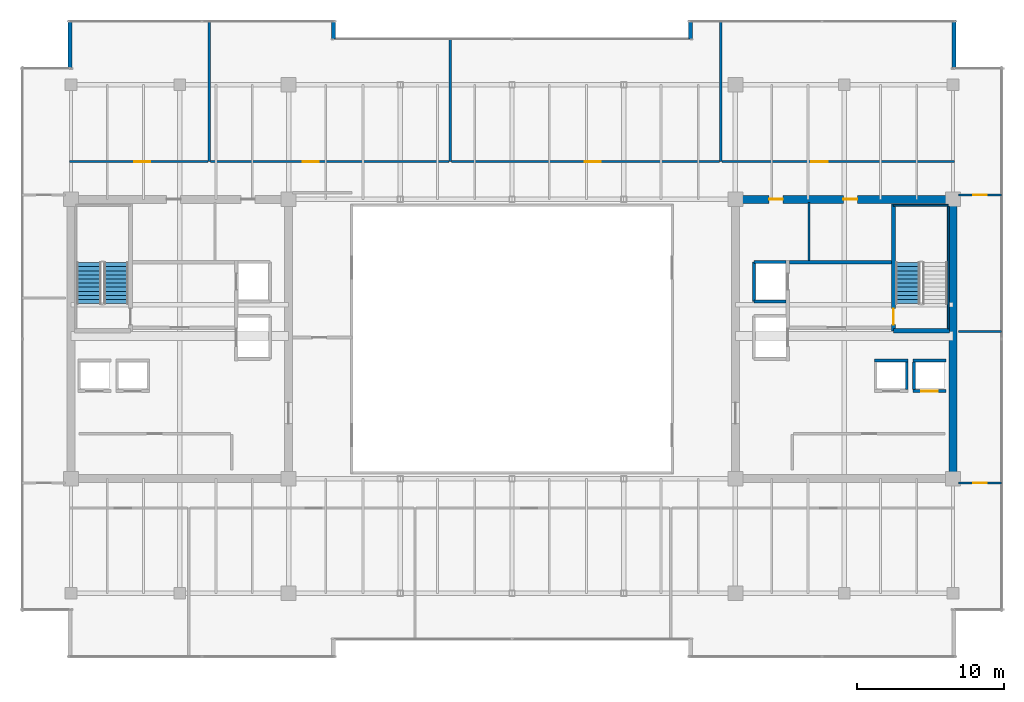
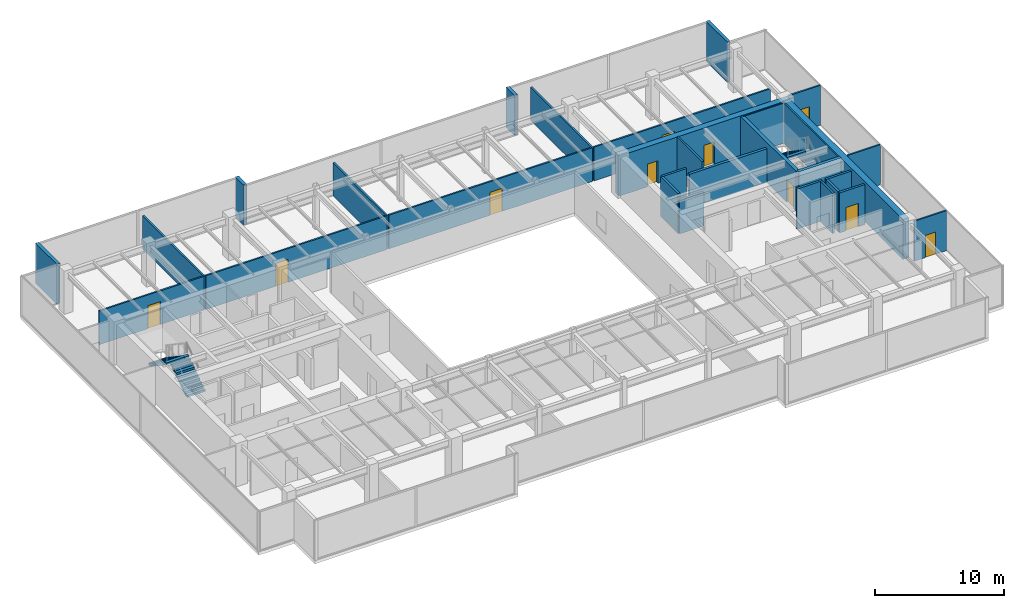
# One storey, part 30 of 33: 30 walls, 10 doors, 3 stair flights, 10 openings, 2 elements without a shape of their own.
"""IFC4 building model written with IfcOpenShell, lengths in metres."""

import ifcopenshell
import ifcopenshell.guid

model = None  # the IFC model being written
_history = None  # IfcOwnerHistory: only IFC2X3 demands one
_inside = {}  # id of a spatial element -> (the spatial element, [elements in it])
_under = {}  # id of a project, library or spatial element -> (it, [spatial elements below it])
_declared = {}  # id of a project -> (the project, [libraries it declares])
_typed = {}  # id of a type object -> (the type object, [elements of that type])
_made_of = {}  # id of a material, layer set ... -> (it, [elements and type objects made of it])


def new_model(schema):
    """Start an empty IFC model of exactly this schema.

    Asked for "IFC4X3", IfcOpenShell would pick the latest addendum, in which some entities
    have other attributes; the version numbers below select the first issue.
    IFC2X3 requires an IfcOwnerHistory on every rooted entity: one is made here for all.
    """
    global model, _history
    if schema == "IFC4X3":
        model = ifcopenshell.file(schema_version=(4, 3, 0, 0))
    else:
        model = ifcopenshell.file(schema=schema)
    _inside.clear()
    _under.clear()
    _declared.clear()
    _typed.clear()
    _made_of.clear()
    _history = None
    if model.schema == "IFC2X3":
        org = make("IfcOrganization", Name="unknown")
        user = make(
            "IfcPersonAndOrganization",
            ThePerson=make("IfcPerson", FamilyName="unknown"),
            TheOrganization=org,
        )
        app = make(
            "IfcApplication",
            ApplicationDeveloper=org,
            Version="unknown",
            ApplicationFullName="unknown",
            ApplicationIdentifier="unknown",
        )
        _history = make(
            "IfcOwnerHistory",
            OwningUser=user,
            OwningApplication=app,
            ChangeAction="ADDED",
            CreationDate=0,
        )
    return model


def make(cls, **values):
    """One entity of the class cls with the attributes given. An attribute that is None is left unset."""
    return model.create_entity(
        cls, **{name: value for name, value in values.items() if value is not None}
    )


def rooted(cls, **values):
    """An entity with a GlobalId (a new one), such as an element, a storey or a relation."""
    return make(cls, GlobalId=ifcopenshell.guid.new(), OwnerHistory=_history, **values)


def si_unit(unit_type, name, prefix=None):
    """IfcSIUnit, for example si_unit("LENGTHUNIT", "METRE", prefix="MILLI")."""
    return make("IfcSIUnit", UnitType=unit_type, Prefix=prefix, Name=name)


def assignment(units):
    """IfcUnitAssignment: the units of a project."""
    return None if units is None else make("IfcUnitAssignment", Units=units)


def point(xyz):
    """IfcCartesianPoint."""
    return None if xyz is None else make("IfcCartesianPoint", Coordinates=xyz)


def direction(xyz):
    """IfcDirection."""
    return None if xyz is None else make("IfcDirection", DirectionRatios=xyz)


def frame(location, z_axis=None, x_axis=None):
    """IfcAxis2Placement3D, a coordinate frame: its origin and axes. An axis left out is left unset."""
    return make(
        "IfcAxis2Placement3D",
        Location=point(location),
        Axis=direction(z_axis),
        RefDirection=direction(x_axis),
    )


def frame_2d(location, x_axis=None):
    """IfcAxis2Placement2D, a coordinate frame in the plane: its origin and x axis."""
    return make(
        "IfcAxis2Placement2D", Location=point(location), RefDirection=direction(x_axis)
    )


def origin():
    """The frame at (0, 0, 0) with its axes left unset."""
    return frame((0.0, 0.0, 0.0))


def place(relative_to, where):
    """IfcLocalPlacement: puts the frame where relative to a parent placement (None: the world)."""
    return make(
        "IfcLocalPlacement", PlacementRelTo=relative_to, RelativePlacement=where
    )


def context(
    kind, dimensions, precision=None, world=None, true_north=None, identifier=None
):
    """IfcGeometricRepresentationContext, for example the 3D "Model" context."""
    return make(
        "IfcGeometricRepresentationContext",
        ContextIdentifier=identifier,
        ContextType=kind,
        CoordinateSpaceDimension=dimensions,
        Precision=precision,
        WorldCoordinateSystem=world,
        TrueNorth=true_north,
    )


def subcontext(parent, identifier, kind, view, scale=None):
    """IfcGeometricRepresentationSubContext, for example "Body" below "Model"."""
    return make(
        "IfcGeometricRepresentationSubContext",
        ContextIdentifier=identifier,
        ContextType=kind,
        ParentContext=parent,
        TargetScale=scale,
        TargetView=view,
    )


def project(units=None, contexts=None):
    """IfcProject with its units and contexts."""
    return rooted(
        "IfcProject",
        Name="project",
        RepresentationContexts=contexts,
        UnitsInContext=assignment(units),
    )


def spatial(cls, under=None, at=None, **own):
    """A site, building, storey or space (cls), placed at a placement, below another one or the project."""
    s = rooted(cls, ObjectPlacement=at, **own)
    if under is not None:
        _under.setdefault(under.id(), (under, []))[1].append(s)
    return s


def polyline(points):
    """IfcPolyline through the points."""
    return make("IfcPolyline", Points=[point(p) for p in points])


def profile(cls, at=None, kind="AREA", **sizes):
    """A parametric profile (cls). Its sizes go by their IFC names, for example OverallWidth=200.0."""
    return make(cls, ProfileType=kind, Position=at, **sizes)


def rectangle(**sizes):
    """IfcRectangleProfileDef."""
    return profile("IfcRectangleProfileDef", **sizes)


def outline(outer, holes=None, kind="AREA"):
    """IfcArbitraryClosedProfileDef: a profile drawn as a closed curve; with holes, ...WithVoids."""
    if holes is None:
        return make("IfcArbitraryClosedProfileDef", ProfileType=kind, OuterCurve=outer)
    return make(
        "IfcArbitraryProfileDefWithVoids",
        ProfileType=kind,
        OuterCurve=outer,
        InnerCurves=holes,
    )


def extrude(swept, where, along, depth):
    """IfcExtrudedAreaSolid: the profile swept, set in the frame where, extruded along a direction by depth."""
    return make(
        "IfcExtrudedAreaSolid",
        SweptArea=swept,
        Position=where,
        ExtrudedDirection=direction(along),
        Depth=depth,
    )


def shape(context_of_items, identifier, shape_type, items):
    """IfcShapeRepresentation: the items that make up one representation, for example the "Body"."""
    return make(
        "IfcShapeRepresentation",
        ContextOfItems=context_of_items,
        RepresentationIdentifier=identifier,
        RepresentationType=shape_type,
        Items=items,
    )


def source(mapping_origin, context_of_items, identifier, shape_type, items):
    """IfcRepresentationMap: a shape defined once, which mapped items show again and again."""
    return make(
        "IfcRepresentationMap",
        MappingOrigin=mapping_origin,
        MappedRepresentation=shape(context_of_items, identifier, shape_type, items),
    )


def transform(
    local_origin,
    x_axis=None,
    y_axis=None,
    z_axis=None,
    scale=None,
    scale2=None,
    scale3=None,
    uniform=True,
):
    """IfcCartesianTransformationOperator3D, or its non-uniform kind. x_axis, y_axis, z_axis: its Axis1, 2, 3."""
    if uniform:
        return make(
            "IfcCartesianTransformationOperator3D",
            Axis1=direction(x_axis),
            Axis2=direction(y_axis),
            LocalOrigin=point(local_origin),
            Scale=scale,
            Axis3=direction(z_axis),
        )
    return make(
        "IfcCartesianTransformationOperator3DnonUniform",
        Axis1=direction(x_axis),
        Axis2=direction(y_axis),
        LocalOrigin=point(local_origin),
        Scale=scale,
        Axis3=direction(z_axis),
        Scale2=scale2,
        Scale3=scale3,
    )


def mapped(mapping_source, mapping_target):
    """IfcMappedItem: shows the shape of a source again, moved by a transform."""
    return make(
        "IfcMappedItem", MappingSource=mapping_source, MappingTarget=mapping_target
    )


def material(Name=None, Category=None):
    """IfcMaterial."""
    return make("IfcMaterial", Name=Name, Category=Category)


def layer(
    of_material, thickness, ventilated=None, Name=None, Category=None, Priority=None
):
    """IfcMaterialLayer: one layer of a wall or slab, of a material (None: an air gap)."""
    return make(
        "IfcMaterialLayer",
        Material=of_material,
        LayerThickness=thickness,
        IsVentilated=ventilated,
        Name=Name,
        Category=Category,
        Priority=Priority,
    )


def layer_set(layers, Name=None):
    """IfcMaterialLayerSet."""
    return make("IfcMaterialLayerSet", MaterialLayers=layers, LayerSetName=Name)


def made_of(thing, what):
    """Note that an element or type object is made of a material, layer set ...; save() writes the relation."""
    if what is not None:
        _made_of.setdefault(what.id(), (what, []))[1].append(thing)
    return thing


def type_object(cls, material=None, **own):
    """A type object (cls), such as IfcWallType, which elements share."""
    return made_of(rooted(cls, **own), material)


def type_shapes(of_type, sources):
    """Give a type object the sources (RepresentationMaps) that its elements show as mapped items."""
    of_type.RepresentationMaps = sources


def element(
    cls,
    number,
    at=None,
    inside=None,
    cuts=None,
    type_object=None,
    material=None,
    context=None,
    identifier="Body",
    shape_type=None,
    held_by="IfcProductDefinitionShape",
    body=None,
    shapes=None,
    **own,
):
    """One element of the class cls, such as IfcWall. Its Tag is "e" and its number.

    at: its placement. inside: the storey or other place that contains it. cuts: it is an
    opening in that element (IfcRelVoidsElement). A single representation is given by context,
    identifier, shape_type and body (its items); several are given by shapes. held_by: the class
    of the entity that holds the representations. save() writes the other relations.
    """
    e = rooted(cls, Tag="e%d" % number, ObjectPlacement=at, **own)
    if body is not None:
        shapes = [shape(context, identifier, shape_type, body)]
    if shapes is not None:
        e.Representation = make(held_by, Representations=shapes)
    if inside is not None:
        _inside.setdefault(inside.id(), (inside, []))[1].append(e)
    if cuts is not None:
        rooted(
            "IfcRelVoidsElement", RelatingBuildingElement=cuts, RelatedOpeningElement=e
        )
    if type_object is not None:
        _typed.setdefault(type_object.id(), (type_object, []))[1].append(e)
    return made_of(e, material)


def fill(opening, filler):
    """IfcRelFillsElement: the door or window that sits in an opening."""
    return rooted(
        "IfcRelFillsElement",
        RelatingOpeningElement=opening,
        RelatedBuildingElement=filler,
    )


def aggregate(whole, parts):
    """IfcRelAggregates: a whole, such as a stair, and the parts it consists of."""
    return rooted("IfcRelAggregates", RelatingObject=whole, RelatedObjects=parts)


def save(model, path):
    """Write the relations noted so far, then the file.

    IfcRelAggregates (storeys below a building ...), IfcRelContainedInSpatialStructure (elements
    in a storey), IfcRelDefinesByType, IfcRelAssociatesMaterial and IfcRelDeclares: one each for
    every whole, place, type object, material and project.
    """
    for whole, parts in _under.values():
        aggregate(whole, parts)
    for where, things in _inside.values():
        rooted(
            "IfcRelContainedInSpatialStructure",
            RelatedElements=things,
            RelatingStructure=where,
        )
    for kind, things in _typed.values():
        rooted("IfcRelDefinesByType", RelatedObjects=things, RelatingType=kind)
    for what, things in _made_of.values():
        rooted("IfcRelAssociatesMaterial", RelatedObjects=things, RelatingMaterial=what)
    for by, libraries in _declared.values():
        rooted("IfcRelDeclares", RelatingContext=by, RelatedDefinitions=libraries)
    model.write(path)


model = new_model("IFC4")

# Units and contexts
model_context = context("Model", 3, precision=1e-05, world=origin(), true_north=direction((0.0, 1.0)))
body_context = subcontext(model_context, "Body", "Model", "MODEL_VIEW")
ifc_project = project(units=[si_unit("LENGTHUNIT", "METRE"), si_unit("AREAUNIT", "SQUARE_METRE"), si_unit("VOLUMEUNIT", "CUBIC_METRE"), si_unit("PLANEANGLEUNIT", "RADIAN"), si_unit("MASSUNIT", "GRAM", prefix="KILO")], contexts=[model_context])

# Site, building, storey
site_placement = place(None, origin())
site = spatial("IfcSite", under=ifc_project, at=site_placement, CompositionType="ELEMENT")
building_placement = place(site_placement, origin())
building = spatial("IfcBuilding", under=site, at=building_placement, Name="Haelvirn Gate Laboratories", CompositionType="ELEMENT")
storey_placement = place(building_placement, frame((0.0, 0.0, 250.60009765625)))
storey = spatial("IfcBuildingStorey", under=building, at=storey_placement, Name="L60", CompositionType="ELEMENT", Elevation=250.60009765625)

# Walls
ifc_material_1 = material(Name="Thermally-broken bronze aluminium rainscreen & mineral wool", Category="aluminium")
ifc_layer_1 = layer(ifc_material_1, 0.280029296875, Name="EW-TERR-280")
ifc_layer_set_1 = layer_set([ifc_layer_1], Name="Thermally-broken bronze aluminium rainscreen & mineral wool")
wall_type_1 = type_object("IfcWallType", Name="EW-TERR-280", PredefinedType="STANDARD", material=ifc_layer_set_1)
wall_1_placement = place(storey_placement, frame((67.4599609375, 42.7119140625, 0.0), z_axis=(0.0, 0.0, 1.0), x_axis=(0.0, 1.0, 0.0)))
element("IfcWall", 1, at=wall_1_placement, inside=storey, type_object=wall_type_1, Name="L60 Atrium Recess Bronze Return Wall 09", PredefinedType="STANDARD", context=body_context, shape_type="SweptSolid", body=[
    extrude(rectangle(XDim=3.2880859375, YDim=0.280029296875, at=frame_2d((1.64404296875, 0.0))), origin(), (0.0, 0.0, 1.0), 3.7998046875),
])
for number, where, z_axis, x_axis, name in (
    (2, (49.5400390625, 46.0, 0.0), (0.0, 0.0, 1.0), (0.0, -1.0, 0.0), "L60 Atrium Recess Bronze Return Wall 11"),
    (3, (25.260009765625, 44.70703125, 0.0), (0.0, 0.0, 1.0), (0.0, 1.0, 0.0), "L60 Atrium Recess Bronze Return Wall 13"),
):
    element("IfcWall", number, at=place(storey_placement, frame(where, z_axis=z_axis, x_axis=x_axis)), inside=storey, type_object=wall_type_1, Name=name, PredefinedType="STANDARD", context=body_context, shape_type="SweptSolid", body=[
        extrude(rectangle(XDim=1.29296875, YDim=0.280029296875, at=frame_2d((0.646484375, 0.0))), origin(), (0.0, 0.0, 1.0), 3.7998046875),
    ])
wall_2_placement = place(storey_placement, frame((7.340087890625, 46.0, 0.0), z_axis=(0.0, 0.0, 1.0), x_axis=(0.0, -1.0, 0.0)))
element("IfcWall", 4, at=wall_2_placement, inside=storey, type_object=wall_type_1, Name="L60 Atrium Recess Bronze Return Wall 15", PredefinedType="STANDARD", context=body_context, shape_type="SweptSolid", body=[
    extrude(rectangle(XDim=3.2880859375, YDim=0.280029296875, at=frame_2d((1.64404296875, 0.0))), origin(), (0.0, 0.0, 1.0), 3.7998046875),
])
ifc_material_2 = material(Name="Double-layer acoustic gypsum laboratory partition", Category="gypsum")
ifc_layer_2 = layer(ifc_material_2, 0.159912109375, Name="IW-ACOUST-160")
ifc_layer_set_2 = layer_set([ifc_layer_2], Name="Double-layer acoustic gypsum laboratory partition")
wall_type_2 = type_object("IfcWallType", Name="IW-ACOUST-160", PredefinedType="PARTITIONING", material=ifc_layer_set_2)
wall_3_placement = place(storey_placement, frame((16.800048828125, 36.360107421875, 0.0), z_axis=(0.0, 0.0, 1.0), x_axis=(0.0, 1.0, 0.0)))
element("IfcWall", 5, at=wall_3_placement, inside=storey, type_object=wall_type_2, Name="L60 Interior Wall IW-L60-NDIV-01", PredefinedType="PARTITIONING", context=body_context, shape_type="SweptSolid", body=[
    extrude(rectangle(XDim=9.52978515625, YDim=0.159912109375, at=frame_2d((4.764892578125, 0.0))), origin(), (0.0, 0.0, 1.0), 3.135009765625),
])
wall_4_placement = place(storey_placement, frame((33.199951171875, 36.360107421875, 0.0), z_axis=(0.0, 0.0, 1.0), x_axis=(0.0, 1.0, 0.0)))
element("IfcWall", 6, at=wall_4_placement, inside=storey, type_object=wall_type_2, Name="L60 Interior Wall IW-L60-NDIV-02", PredefinedType="PARTITIONING", context=body_context, shape_type="SweptSolid", body=[
    extrude(rectangle(XDim=8.329833984375, YDim=0.159912109375, at=frame_2d((4.1650390625, 0.0))), origin(), (0.0, 0.0, 1.0), 3.135009765625),
])
wall_5_placement = place(storey_placement, frame((51.60009765625, 36.360107421875, 0.0), z_axis=(0.0, 0.0, 1.0), x_axis=(0.0, 1.0, 0.0)))
element("IfcWall", 7, at=wall_5_placement, inside=storey, type_object=wall_type_2, Name="L60 Interior Wall IW-L60-NDIV-03", PredefinedType="PARTITIONING", context=body_context, shape_type="SweptSolid", body=[
    extrude(rectangle(XDim=9.52978515625, YDim=0.159912109375, at=frame_2d((4.764892578125, 0.0))), origin(), (0.0, 0.0, 1.0), 3.135009765625),
])

# Wall, opening, door
ifc_material_3 = material(Name="Acoustic mineral-wool gypsum board partition", Category="gypsum")
ifc_layer_3 = layer(ifc_material_3, 0.139892578125, Name="IW-PART-140")
ifc_layer_set_3 = layer_set([ifc_layer_3], Name="Acoustic mineral-wool gypsum board partition")
wall_type_3 = type_object("IfcWallType", Name="IW-PART-140", PredefinedType="PARTITIONING", material=ifc_layer_set_3)
wall_6_placement = place(storey_placement, frame((7.31005859375, 36.360107421875, 0.0), z_axis=(0.0, 0.0, 1.0), x_axis=(1.0, 0.0, 0.0)))
wall_6 = element("IfcWall", 8, at=wall_6_placement, inside=storey, type_object=wall_type_3, Name="L60 Interior Wall IW-L60-NCORR-01", PredefinedType="PARTITIONING", context=body_context, shape_type="SweptSolid", body=[
    extrude(rectangle(XDim=9.409912109375, YDim=0.139892578125, at=frame_2d((4.705078125, 0.0))), origin(), (0.0, 0.0, 1.0), 3.197021484375),
])
opening_1_placement = place(wall_6_placement, frame((4.38330078125, 0.0, 0.0)))
opening_1 = element("IfcOpeningElement", 9, at=opening_1_placement, cuts=wall_6, Name="Opening D1", PredefinedType="OPENING", context=body_context, shape_type="SweptSolid", body=[
    extrude(rectangle(XDim=1.10009765625, YDim=2.179931640625, at=frame_2d((0.550048828125, 1.08984375))), frame((0.0, 0.080078125, 0.0), z_axis=(0.0, -1.0, 0.0), x_axis=(1.0, 0.0, 0.0)), (0.0, 0.0, 1.0), 0.159912109375),
])
ifc_material_4 = material(Name="Vision-panel acoustic solid-core timber lab door", Category="wood")
door_type_1 = type_object("IfcDoorType", Name="DR-LAB-1100", OperationType="NOTDEFINED", PredefinedType="DOOR", material=ifc_material_4)
shared_shape_1 = source(origin(), body_context, "Body", "SweptSolid", [
    extrude(rectangle(XDim=1.10009765625, YDim=2.179931640625, at=frame_2d((0.550048828125, 1.08984375))), frame((0.0, 0.02490234375, 0.0), z_axis=(0.0, -1.0, 0.0), x_axis=(1.0, 0.0, 0.0)), (0.0, 0.0, 1.0), 0.050048828125),
])
type_shapes(door_type_1, [shared_shape_1])
door_1_placement = place(opening_1_placement, origin())
door_1 = element("IfcDoor", 10, at=door_1_placement, inside=storey, type_object=door_type_1, Name="L60 Colloquium Conference Room Door N1", OperationType="SINGLE_SWING_RIGHT", OverallHeight=2.179931640625, OverallWidth=1.10009765625, PredefinedType="DOOR", context=body_context, shape_type="MappedRepresentation", body=[
    mapped(shared_shape_1, transform((0.0, 0.0, 0.0), scale=1.0)),
])
fill(opening_1, door_1)

wall_7_placement = place(storey_placement, frame((16.8798828125, 36.360107421875, 0.0), z_axis=(0.0, 0.0, 1.0), x_axis=(1.0, 0.0, 0.0)))
wall_7 = element("IfcWall", 11, at=wall_7_placement, inside=storey, type_object=wall_type_3, Name="L60 Interior Wall IW-L60-NCORR-02", PredefinedType="PARTITIONING", context=body_context, shape_type="SweptSolid", body=[
    extrude(rectangle(XDim=16.240234375, YDim=0.139892578125, at=frame_2d((8.1201171875, 0.0))), origin(), (0.0, 0.0, 1.0), 3.197021484375),
])
opening_2_placement = place(wall_7_placement, frame((6.2705078125, 0.0, 0.0)))
opening_2 = element("IfcOpeningElement", 12, at=opening_2_placement, cuts=wall_7, Name="Opening D1", PredefinedType="OPENING", context=body_context, shape_type="SweptSolid", body=[
    extrude(rectangle(XDim=1.10009765625, YDim=2.179931640625, at=frame_2d((0.550048828125, 1.08984375))), frame((0.0, 0.080078125, 0.0), z_axis=(0.0, -1.0, 0.0), x_axis=(1.0, 0.0, 0.0)), (0.0, 0.0, 1.0), 0.159912109375),
])
door_2_placement = place(opening_2_placement, origin())
door_2 = element("IfcDoor", 13, at=door_2_placement, inside=storey, type_object=door_type_1, Name="L60 Protocol Briefing Training Room Door N2", OperationType="SINGLE_SWING_LEFT", OverallHeight=2.179931640625, OverallWidth=1.10009765625, PredefinedType="DOOR", context=body_context, shape_type="MappedRepresentation", body=[
    mapped(shared_shape_1, transform((0.0, 0.0, 0.0), scale=1.0)),
])
fill(opening_2, door_2)

wall_8_placement = place(storey_placement, frame((33.280029296875, 36.360107421875, 0.0), z_axis=(0.0, 0.0, 1.0), x_axis=(1.0, 0.0, 0.0)))
wall_8 = element("IfcWall", 14, at=wall_8_placement, inside=storey, type_object=wall_type_3, Name="L60 Interior Wall IW-L60-NCORR-03", PredefinedType="PARTITIONING", context=body_context, shape_type="SweptSolid", body=[
    extrude(rectangle(XDim=18.239990234375, YDim=0.139892578125, at=frame_2d((9.1201171875, 0.0))), origin(), (0.0, 0.0, 1.0), 3.197021484375),
])
opening_3_placement = place(wall_8_placement, frame((9.063232421875, 0.0, 0.0)))
opening_3 = element("IfcOpeningElement", 15, at=opening_3_placement, cuts=wall_8, Name="Opening D1", PredefinedType="OPENING", context=body_context, shape_type="SweptSolid", body=[
    extrude(rectangle(XDim=1.10009765625, YDim=2.179931640625, at=frame_2d((0.550048828125, 1.08984375))), frame((0.0, 0.080078125, 0.0), z_axis=(0.0, -1.0, 0.0), x_axis=(1.0, 0.0, 0.0)), (0.0, 0.0, 1.0), 0.159912109375),
])
door_3_placement = place(opening_3_placement, origin())
door_3 = element("IfcDoor", 16, at=door_3_placement, inside=storey, type_object=door_type_1, Name="L60 Peer-Review Seminar Room Door N3", OperationType="SINGLE_SWING_RIGHT", OverallHeight=2.179931640625, OverallWidth=1.10009765625, PredefinedType="DOOR", context=body_context, shape_type="MappedRepresentation", body=[
    mapped(shared_shape_1, transform((0.0, 0.0, 0.0), scale=1.0)),
])
fill(opening_3, door_3)

wall_9_placement = place(storey_placement, frame((51.679931640625, 36.360107421875, 0.0), z_axis=(0.0, 0.0, 1.0), x_axis=(1.0, 0.0, 0.0)))
wall_9 = element("IfcWall", 17, at=wall_9_placement, inside=storey, type_object=wall_type_3, Name="L60 Interior Wall IW-L60-NCORR-04", PredefinedType="PARTITIONING", context=body_context, shape_type="SweptSolid", body=[
    extrude(rectangle(XDim=15.81005859375, YDim=0.139892578125, at=frame_2d((7.905029296875, 0.0))), origin(), (0.0, 0.0, 1.0), 3.197021484375),
])
opening_4_placement = place(wall_9_placement, frame((6.093994140625, 0.0, 0.0)))
opening_4 = element("IfcOpeningElement", 18, at=opening_4_placement, cuts=wall_9, Name="Opening D1", PredefinedType="OPENING", context=body_context, shape_type="SweptSolid", body=[
    extrude(rectangle(XDim=1.10009765625, YDim=2.179931640625, at=frame_2d((0.550048828125, 1.08984375))), frame((0.0, 0.080078125, 0.0), z_axis=(0.0, -1.0, 0.0), x_axis=(1.0, 0.0, 0.0)), (0.0, 0.0, 1.0), 0.159912109375),
])
door_4_placement = place(opening_4_placement, origin())
door_4 = element("IfcDoor", 19, at=door_4_placement, inside=storey, type_object=door_type_1, Name="L60 Colloquium Conference Room Door N4", OperationType="SINGLE_SWING_LEFT", OverallHeight=2.179931640625, OverallWidth=1.10009765625, PredefinedType="DOOR", context=body_context, shape_type="MappedRepresentation", body=[
    mapped(shared_shape_1, transform((0.0, 0.0, 0.0), scale=1.0)),
])
fill(opening_4, door_4)

# Wall
wall_10_placement = place(storey_placement, frame((67.780029296875, 24.800048828125, 0.0), z_axis=(0.0, 0.0, 1.0), x_axis=(1.0, 0.0, 0.0)))
element("IfcWall", 20, at=wall_10_placement, inside=storey, type_object=wall_type_3, Name="L60 Interior Wall IW-L60-EZ3-MID", PredefinedType="PARTITIONING", context=body_context, shape_type="SweptSolid", body=[
    extrude(rectangle(XDim=2.909912109375, YDim=0.139892578125, at=frame_2d((1.455078125, 0.0))), origin(), (0.0, 0.0, 1.0), 3.7998046875),
])

# Wall, opening, door
wall_11_placement = place(storey_placement, frame((67.780029296875, 14.5048828125, 0.0), z_axis=(0.0, 0.0, 1.0), x_axis=(1.0, 0.0, 0.0)))
wall_11 = element("IfcWall", 21, at=wall_11_placement, inside=storey, type_object=wall_type_3, Name="L60 Interior Wall IW-L60-EZ3-ENT-S", PredefinedType="PARTITIONING", context=body_context, shape_type="SweptSolid", body=[
    extrude(rectangle(XDim=2.909912109375, YDim=0.139892578125, at=frame_2d((1.455078125, 0.0))), origin(), (0.0, 0.0, 1.0), 3.7998046875),
])
opening_5_placement = place(wall_11_placement, frame((1.0048828125, 0.0, 0.0)))
opening_5 = element("IfcOpeningElement", 22, at=opening_5_placement, cuts=wall_11, Name="Opening D4", PredefinedType="OPENING", context=body_context, shape_type="SweptSolid", body=[
    extrude(rectangle(XDim=0.89990234375, YDim=2.10009765625, at=frame_2d((0.449951171875, 1.050048828125))), frame((0.0, 0.080078125, 0.0), z_axis=(0.0, -1.0, 0.0), x_axis=(1.0, 0.0, 0.0)), (0.0, 0.0, 1.0), 0.159912109375),
])
ifc_material_5 = material(Name="Glazed aluminium-framed write-up door", Category="aluminium")
door_type_2 = type_object("IfcDoorType", Name="DR-OFF-900", OperationType="NOTDEFINED", PredefinedType="DOOR", material=ifc_material_5)
shared_shape_2 = source(origin(), body_context, "Body", "SweptSolid", [
    extrude(rectangle(XDim=0.89990234375, YDim=2.10009765625, at=frame_2d((0.449951171875, 1.050048828125))), frame((0.0, 0.02490234375, 0.0), z_axis=(0.0, -1.0, 0.0), x_axis=(1.0, 0.0, 0.0)), (0.0, 0.0, 1.0), 0.050048828125),
])
type_shapes(door_type_2, [shared_shape_2])
door_5_placement = place(opening_5_placement, origin())
door_5 = element("IfcDoor", 23, at=door_5_placement, inside=storey, type_object=door_type_2, Name="L60 Cleanroom Metrology Suite Door E-S", OperationType="SINGLE_SWING_LEFT", OverallHeight=2.10009765625, OverallWidth=0.89990234375, PredefinedType="DOOR", context=body_context, shape_type="MappedRepresentation", body=[
    mapped(shared_shape_2, transform((0.0, 0.0, 0.0), scale=1.0)),
])
fill(opening_5, door_5)

wall_12_placement = place(storey_placement, frame((67.780029296875, 34.094970703125, 0.0), z_axis=(0.0, 0.0, 1.0), x_axis=(1.0, 0.0, 0.0)))
wall_12 = element("IfcWall", 24, at=wall_12_placement, inside=storey, type_object=wall_type_3, Name="L60 Interior Wall IW-L60-EZ3-ENT-N", PredefinedType="PARTITIONING", context=body_context, shape_type="SweptSolid", body=[
    extrude(rectangle(XDim=2.909912109375, YDim=0.139892578125, at=frame_2d((1.455078125, 0.0))), origin(), (0.0, 0.0, 1.0), 3.7998046875),
])
opening_6_placement = place(wall_12_placement, frame((1.0048828125, 0.0, 0.0)))
opening_6 = element("IfcOpeningElement", 25, at=opening_6_placement, cuts=wall_12, Name="Opening D4", PredefinedType="OPENING", context=body_context, shape_type="SweptSolid", body=[
    extrude(rectangle(XDim=0.89990234375, YDim=2.10009765625, at=frame_2d((0.449951171875, 1.050048828125))), frame((0.0, 0.080078125, 0.0), z_axis=(0.0, -1.0, 0.0), x_axis=(1.0, 0.0, 0.0)), (0.0, 0.0, 1.0), 0.159912109375),
])
door_6_placement = place(opening_6_placement, origin())
door_6 = element("IfcDoor", 26, at=door_6_placement, inside=storey, type_object=door_type_2, Name="L60 Analytical Instrument Suite Door E-N", OperationType="SINGLE_SWING_RIGHT", OverallHeight=2.10009765625, OverallWidth=0.89990234375, PredefinedType="DOOR", context=body_context, shape_type="MappedRepresentation", body=[
    mapped(shared_shape_2, transform((0.0, 0.0, 0.0), scale=1.0)),
])
fill(opening_6, door_6)

# Walls
ifc_material_6 = material(Name="Cement-board restroom plumbing chase wall", Category="gypsum")
ifc_layer_4 = layer(ifc_material_6, 0.155029296875, Name="IW-PLUMB-160")
ifc_layer_set_4 = layer_set([ifc_layer_4], Name="Cement-board restroom plumbing chase wall")
wall_type_4 = type_object("IfcWallType", Name="IW-PLUMB-160", PredefinedType="PLUMBINGWALL", material=ifc_layer_set_4)
wall_13_placement = place(storey_placement, frame((57.610107421875, 29.64990234375, 0.0), z_axis=(0.0, 0.0, 1.0), x_axis=(0.0, 1.0, 0.0)))
element("IfcWall", 27, at=wall_13_placement, inside=storey, type_object=wall_type_4, Name="L60 Interior Wall IW-L60-E-CDIV-1", PredefinedType="PLUMBINGWALL", context=body_context, shape_type="SweptSolid", body=[
    extrude(rectangle(XDim=3.93017578125, YDim=0.155029296875, at=frame_2d((1.965087890625, 0.0))), origin(), (0.0, 0.0, 1.0), 3.7998046875),
])
ifc_material_7 = material(Name="Concrete C40/50", Category="concrete")
ifc_layer_5 = layer(ifc_material_7, 0.179931640625, Name="IW-SHAFT-180")
ifc_layer_set_5 = layer_set([ifc_layer_5], Name="Concrete C40/50")
wall_type_5 = type_object("IfcWallType", Name="IW-SHAFT-180", PredefinedType="SOLIDWALL", material=ifc_layer_set_5)
for number, where, z_axis, x_axis, name in (
    (28, (64.75, 20.85009765625, 0.0), (0.0, 0.0, 1.0), (0.0, 1.0, 0.0), "L60 Interior Wall IW-L60-PL11-SD"),
    (29, (64.25, 20.85009765625, 0.0), (0.0, 0.0, 1.0), (0.0, 1.0, 0.0), "L60 Interior Wall IW-L60-PL12-SDE"),
):
    element("IfcWall", number, at=place(storey_placement, frame(where, z_axis=z_axis, x_axis=x_axis)), inside=storey, type_object=wall_type_5, Name=name, PredefinedType="SOLIDWALL", context=body_context, shape_type="SweptSolid", body=[
        extrude(rectangle(XDim=1.89990234375, YDim=0.179931640625, at=frame_2d((0.949951171875, 0.0))), origin(), (0.0, 0.0, 1.0), 3.7998046875),
    ])

# Wall, opening, door
ifc_layer_6 = layer(ifc_material_7, 0.199951171875, Name="IW-SHAFT-200")
ifc_layer_set_6 = layer_set([ifc_layer_6], Name="Concrete C40/50")
wall_type_6 = type_object("IfcWallType", Name="IW-SHAFT-200", PredefinedType="SOLIDWALL", material=ifc_layer_set_6)
wall_14_placement = place(storey_placement, frame((64.669921875, 20.75, 0.0), z_axis=(0.0, 0.0, 1.0), x_axis=(1.0, 0.0, 0.0)))
wall_14 = element("IfcWall", 30, at=wall_14_placement, inside=storey, type_object=wall_type_6, Name="L60 Interior Wall IW-L60-PL11-FR", PredefinedType="SOLIDWALL", context=body_context, shape_type="SweptSolid", body=[
    extrude(rectangle(XDim=2.260009765625, YDim=0.199951171875, at=frame_2d((1.1298828125, 0.0))), origin(), (0.0, 0.0, 1.0), 3.7998046875),
])
opening_7_placement = place(wall_14_placement, frame((0.580078125, 0.0, 0.0)))
opening_7 = element("IfcOpeningElement", 31, at=opening_7_placement, cuts=wall_14, Name="Opening LD2", PredefinedType="OPENING", context=body_context, shape_type="SweptSolid", body=[
    extrude(rectangle(XDim=1.10009765625, YDim=2.219970703125, at=frame_2d((0.550048828125, 1.10986328125))), frame((0.0, 0.10986328125, 0.0), z_axis=(0.0, -1.0, 0.0), x_axis=(1.0, 0.0, 0.0)), (0.0, 0.0, 1.0), 0.219970703125),
])
ifc_material_8 = material(Name="Bronze stainless 316L sliding lift landing door")
door_type_3 = type_object("IfcDoorType", Name="DR-LD-1100", OperationType="NOTDEFINED", PredefinedType="USERDEFINED", material=ifc_material_8)
shared_shape_3 = source(origin(), body_context, "Body", "SweptSolid", [
    extrude(rectangle(XDim=1.10009765625, YDim=2.219970703125, at=frame_2d((0.550048828125, 1.10986328125))), frame((0.0, 0.02490234375, 0.0), z_axis=(0.0, -1.0, 0.0), x_axis=(1.0, 0.0, 0.0)), (0.0, 0.0, 1.0), 0.050048828125),
])
type_shapes(door_type_3, [shared_shape_3])
door_7_placement = place(opening_7_placement, origin())
door_7 = element("IfcDoor", 32, at=door_7_placement, inside=storey, type_object=door_type_3, Name="L60 Passenger Lift PL11 Landing Door", ObjectType="LANDING_DOOR", OperationType="SLIDING_TO_LEFT", OverallHeight=2.219970703125, OverallWidth=1.10009765625, PredefinedType="USERDEFINED", context=body_context, shape_type="MappedRepresentation", body=[
    mapped(shared_shape_3, transform((0.0, 0.0, 0.0), scale=1.0)),
])
fill(opening_7, door_7)

# Walls
for number, where, z_axis, x_axis, name in (
    (33, (64.669921875, 22.85009765625, 0.0), (0.0, 0.0, 1.0), (1.0, 0.0, 0.0), "L60 Interior Wall IW-L60-PL11-BK"),
    (34, (62.070068359375, 22.85009765625, 0.0), (0.0, 0.0, 1.0), (1.0, 0.0, 0.0), "L60 Interior Wall IW-L60-PL12-BK"),
):
    element("IfcWall", number, at=place(storey_placement, frame(where, z_axis=z_axis, x_axis=x_axis)), inside=storey, type_object=wall_type_6, Name=name, PredefinedType="SOLIDWALL", context=body_context, shape_type="SweptSolid", body=[
        extrude(rectangle(XDim=2.260009765625, YDim=0.199951171875, at=frame_2d((1.1298828125, 0.0))), origin(), (0.0, 0.0, 1.0), 3.7998046875),
    ])
wall_15_placement = place(storey_placement, frame((53.85009765625, 26.85009765625, 0.0), z_axis=(0.0, 0.0, 1.0), x_axis=(0.0, 1.0, 0.0)))
element("IfcWall", 35, at=wall_15_placement, inside=storey, type_object=wall_type_6, Name="L60 Interior Wall IW-L60-FL2-BK", PredefinedType="SOLIDWALL", context=body_context, shape_type="SweptSolid", body=[
    extrude(rectangle(XDim=2.699951171875, YDim=0.199951171875, at=frame_2d((1.35009765625, 0.0))), origin(), (0.0, 0.0, 1.0), 3.7998046875),
])
wall_16_placement = place(storey_placement, frame((53.85009765625, 29.550048828125, 0.0), z_axis=(0.0, 0.0, 1.0), x_axis=(1.0, 0.0, 0.0)))
element("IfcWall", 36, at=wall_16_placement, inside=storey, type_object=wall_type_6, Name="L60 Interior Wall IW-L60-FL2-N", PredefinedType="SOLIDWALL", context=body_context, shape_type="SweptSolid", body=[
    extrude(rectangle(XDim=2.18994140625, YDim=0.199951171875, at=frame_2d((1.094970703125, 0.0))), origin(), (0.0, 0.0, 1.0), 3.7998046875),
])
wall_17_placement = place(storey_placement, frame((53.85009765625, 26.85009765625, 0.0), z_axis=(0.0, 0.0, 1.0), x_axis=(1.0, 0.0, 0.0)))
element("IfcWall", 37, at=wall_17_placement, inside=storey, type_object=wall_type_6, Name="L60 Interior Wall IW-L60-FL2-S", PredefinedType="SOLIDWALL", context=body_context, shape_type="SweptSolid", body=[
    extrude(rectangle(XDim=2.18994140625, YDim=0.199951171875, at=frame_2d((1.094970703125, 0.0))), origin(), (0.0, 0.0, 1.0), 3.197021484375),
])
ifc_layer_7 = layer(ifc_material_7, 0.239990234375, Name="IW-SHAFT-240")
ifc_layer_set_7 = layer_set([ifc_layer_7], Name="Concrete C40/50")
wall_type_7 = type_object("IfcWallType", Name="IW-SHAFT-240", PredefinedType="SOLIDWALL", material=ifc_layer_set_7)
wall_18_placement = place(storey_placement, frame((56.280029296875, 29.52001953125, 0.0), z_axis=(0.0, 0.0, 1.0), x_axis=(1.0, 0.0, 0.0)))
element("IfcWall", 38, at=wall_18_placement, inside=storey, type_object=wall_type_7, Name="L60 Interior Wall IW-L60-E-FF-N", PredefinedType="SOLIDWALL", context=body_context, shape_type="SweptSolid", body=[
    extrude(rectangle(XDim=6.919921875, YDim=0.239990234375, at=frame_2d((3.4599609375, 0.0))), origin(), (0.0, 0.0, 1.0), 3.197021484375),
])

# Wall, openings, doors
ifc_material_9 = material(Name="Concrete C50/60", Category="concrete")
ifc_layer_8 = layer(ifc_material_9, 0.550048828125, Name="SW-CORE-550")
ifc_layer_set_8 = layer_set([ifc_layer_8], Name="Concrete C50/60")
wall_type_8 = type_object("IfcWallType", Name="SW-CORE-550", PredefinedType="SHEAR", material=ifc_layer_set_8)
wall_19_placement = place(storey_placement, frame((52.324951171875, 33.800048828125, 0.0), z_axis=(0.0, 0.0, 1.0), x_axis=(1.0, 0.0, 0.0)))
wall_19 = element("IfcWall", 39, at=wall_19_placement, inside=storey, type_object=wall_type_8, Name="L60 E Core Shear Wall N", PredefinedType="SHEAR", context=body_context, shape_type="SweptSolid", body=[
    extrude(rectangle(XDim=15.35009765625, YDim=0.550048828125, at=frame_2d((7.675048828125, 0.0))), origin(), (0.0, 0.0, 1.0), 3.7998046875),
])
opening_8_placement = place(wall_19_placement, frame((7.625, 0.0, 0.0)))
opening_8 = element("IfcOpeningElement", 40, at=opening_8_placement, cuts=wall_19, Name="Opening FD4", PredefinedType="OPENING", context=body_context, shape_type="SweptSolid", body=[
    extrude(rectangle(XDim=0.949951171875, YDim=2.14990234375, at=frame_2d((0.47509765625, 1.074951171875))), frame((0.0, 0.28515625, 0.0), z_axis=(0.0, -1.0, 0.0), x_axis=(1.0, 0.0, 0.0)), (0.0, 0.0, 1.0), 0.570068359375),
])
opening_9_placement = place(wall_19_placement, frame((2.56005859375, 0.0, 0.0)))
opening_9 = element("IfcOpeningElement", 41, at=opening_9_placement, cuts=wall_19, Name="Opening FD4", PredefinedType="OPENING", context=body_context, shape_type="SweptSolid", body=[
    extrude(rectangle(XDim=0.949951171875, YDim=2.14990234375, at=frame_2d((0.47509765625, 1.074951171875))), frame((0.0, 0.28515625, 0.0), z_axis=(0.0, -1.0, 0.0), x_axis=(1.0, 0.0, 0.0)), (0.0, 0.0, 1.0), 0.570068359375),
])
ifc_material_10 = material(Name="Fire-rated steel SM355 core service door", Category="steel")
door_type_4 = type_object("IfcDoorType", Name="DR-FD-950", OperationType="NOTDEFINED", PredefinedType="DOOR", material=ifc_material_10)
shared_shape_4 = source(origin(), body_context, "Body", "SweptSolid", [
    extrude(rectangle(XDim=0.949951171875, YDim=2.14990234375, at=frame_2d((0.47509765625, 1.074951171875))), frame((0.0, 0.02490234375, 0.0), z_axis=(0.0, -1.0, 0.0), x_axis=(1.0, 0.0, 0.0)), (0.0, 0.0, 1.0), 0.050048828125),
])
type_shapes(door_type_4, [shared_shape_4])
door_8_placement = place(opening_8_placement, origin())
door_8 = element("IfcDoor", 42, at=door_8_placement, inside=storey, type_object=door_type_4, Name="L60 All-Gender Multi-Stall Restroom Fire Door", OperationType="SINGLE_SWING_LEFT", OverallHeight=2.14990234375, OverallWidth=0.949951171875, PredefinedType="DOOR", context=body_context, shape_type="MappedRepresentation", body=[
    mapped(shared_shape_4, transform((0.0, 0.0, 0.0), scale=1.0)),
])
fill(opening_8, door_8)
door_9_placement = place(opening_9_placement, origin())
door_9 = element("IfcDoor", 43, at=door_9_placement, inside=storey, type_object=door_type_4, Name="L60 Accessible Restroom Fire Door", OperationType="SINGLE_SWING_RIGHT", OverallHeight=2.14990234375, OverallWidth=0.949951171875, PredefinedType="DOOR", context=body_context, shape_type="MappedRepresentation", body=[
    mapped(shared_shape_4, transform((0.0, 0.0, 0.0), scale=1.0)),
])
fill(opening_9, door_9)

# Walls
wall_20_placement = place(storey_placement, frame((67.39990234375, 15.074951171875, 0.0), z_axis=(0.0, 0.0, 1.0), x_axis=(0.0, 1.0, 0.0)))
element("IfcWall", 44, at=wall_20_placement, inside=storey, type_object=wall_type_8, Name="L60 E Core Shear Wall E", PredefinedType="SHEAR", context=body_context, shape_type="SweptSolid", body=[
    extrude(rectangle(XDim=18.449951171875, YDim=0.550048828125, at=frame_2d((9.22509765625, 0.0))), origin(), (0.0, 0.0, 1.0), 3.7998046875),
])
ifc_layer_9 = layer(ifc_material_9, 0.1201171875, Name="SW-LINER-120")
ifc_layer_set_9 = layer_set([ifc_layer_9], Name="Concrete C50/60")
wall_type_9 = type_object("IfcWallType", Name="SW-LINER-120", PredefinedType="SOLIDWALL", material=ifc_layer_set_9)
wall_21_placement = place(storey_placement, frame((63.35009765625, 33.39990234375, 0.0), z_axis=(0.0, 0.0, 1.0), x_axis=(1.0, 0.0, 0.0)))
element("IfcWall", 45, at=wall_21_placement, inside=storey, type_object=wall_type_9, Name="L60 E Core Stair Shaft Liner Wall N", PredefinedType="SOLIDWALL", context=body_context, shape_type="SweptSolid", body=[
    extrude(rectangle(XDim=3.719970703125, YDim=0.1201171875, at=frame_2d((1.85986328125, 0.0))), origin(), (0.0, 0.0, 1.0), 3.7998046875),
])
wall_22_placement = place(storey_placement, frame((67.070068359375, 25.0, 0.0), z_axis=(0.0, 0.0, 1.0), x_axis=(0.0, 1.0, 0.0)))
element("IfcWall", 46, at=wall_22_placement, inside=storey, type_object=wall_type_9, Name="L60 E Core Stair Shaft Liner Wall OUT", PredefinedType="SOLIDWALL", context=body_context, shape_type="SweptSolid", body=[
    extrude(rectangle(XDim=8.320068359375, YDim=0.1201171875, at=frame_2d((4.16015625, 0.0))), origin(), (0.0, 0.0, 1.0), 3.7998046875),
])

# Wall, opening, door
ifc_layer_10 = layer(ifc_material_9, 0.300048828125, Name="SW-STAIR-300")
ifc_layer_set_10 = layer_set([ifc_layer_10], Name="Concrete C50/60")
wall_type_10 = type_object("IfcWallType", Name="SW-STAIR-300", PredefinedType="SHEAR", material=ifc_layer_set_10)
wall_23_placement = place(storey_placement, frame((63.35009765625, 24.85009765625, 0.0), z_axis=(0.0, 0.0, 1.0), x_axis=(0.0, 1.0, 0.0)))
wall_23 = element("IfcWall", 47, at=wall_23_placement, inside=storey, type_object=wall_type_10, Name="L60 E Core Stair Shaft Structural Wall IN", PredefinedType="SHEAR", context=body_context, shape_type="SweptSolid", body=[
    extrude(rectangle(XDim=8.6298828125, YDim=0.300048828125, at=frame_2d((4.31494140625, 0.0))), origin(), (0.0, 0.0, 1.0), 3.7998046875),
])
opening_10_placement = place(wall_23_placement, frame((0.419921875, 0.0, 0.0)))
opening_10 = element("IfcOpeningElement", 48, at=opening_10_placement, cuts=wall_23, Name="Opening FD3", PredefinedType="OPENING", context=body_context, shape_type="SweptSolid", body=[
    extrude(rectangle(XDim=1.10009765625, YDim=2.14990234375, at=frame_2d((0.550048828125, 1.074951171875))), frame((0.0, 0.16015625, 0.0), z_axis=(0.0, -1.0, 0.0), x_axis=(1.0, 0.0, 0.0)), (0.0, 0.0, 1.0), 0.320068359375),
])
ifc_material_11 = material(Name="Fire-rated steel SM355 escape stair door", Category="steel")
door_type_5 = type_object("IfcDoorType", Name="DR-FD-1100", OperationType="NOTDEFINED", PredefinedType="DOOR", material=ifc_material_11)
shared_shape_5 = source(origin(), body_context, "Body", "SweptSolid", [
    extrude(rectangle(XDim=1.10009765625, YDim=2.14990234375, at=frame_2d((0.550048828125, 1.074951171875))), frame((0.0, 0.02490234375, 0.0), z_axis=(0.0, -1.0, 0.0), x_axis=(1.0, 0.0, 0.0)), (0.0, 0.0, 1.0), 0.050048828125),
])
type_shapes(door_type_5, [shared_shape_5])
door_10_placement = place(opening_10_placement, origin())
door_10 = element("IfcDoor", 49, at=door_10_placement, inside=storey, type_object=door_type_5, Name="L60 Escape Stair ST2 Fire Door", OperationType="SINGLE_SWING_RIGHT", OverallHeight=2.14990234375, OverallWidth=1.10009765625, PredefinedType="DOOR", context=body_context, shape_type="MappedRepresentation", body=[
    mapped(shared_shape_5, transform((0.0, 0.0, 0.0), scale=1.0)),
])
fill(opening_10, door_10)

# Wall
wall_24_placement = place(storey_placement, frame((63.35009765625, 24.85009765625, 0.0), z_axis=(0.0, 0.0, 1.0), x_axis=(1.0, 0.0, 0.0)))
element("IfcWall", 50, at=wall_24_placement, inside=storey, type_object=wall_type_10, Name="L60 E Core Stair Shaft Structural Wall S", PredefinedType="SHEAR", context=body_context, shape_type="SweptSolid", body=[
    extrude(rectangle(XDim=3.7998046875, YDim=0.300048828125, at=frame_2d((1.89990234375, 0.0))), origin(), (0.0, 0.0, 1.0), 3.7998046875),
])

# Stair, stair flights
stair_type = type_object("IfcStairType", Name="ST-DOG-1650-R22", PredefinedType="HALF_TURN_STAIR", material=ifc_material_7)
stair_1_placement = place(storey_placement, origin())
stair_1 = element("IfcStair", 51, at=stair_1_placement, inside=storey, type_object=stair_type, Name="L60 Escape Stair ST1", PredefinedType="HALF_TURN_STAIR")
stair_flight_type = type_object("IfcStairFlightType", Name="STF-1650-R11", PredefinedType="STRAIGHT", material=ifc_material_7)
shared_shape_6 = source(origin(), body_context, "Body", "SweptSolid", [
    extrude(outline(polyline([(0.0, 0.0), (0.0, 0.186279296875), (0.280029296875, 0.186279296875), (0.280029296875, 0.372802734375), (0.56005859375, 0.372802734375), (0.56005859375, 0.55908203125), (0.840087890625, 0.55908203125), (0.840087890625, 0.745361328125), (1.1201171875, 0.745361328125), (1.1201171875, 0.931884765625), (1.39990234375, 0.931884765625), (1.39990234375, 1.1181640625), (1.679931640625, 1.1181640625), (1.679931640625, 1.304443359375), (1.9599609375, 1.304443359375), (1.9599609375, 1.490966796875), (2.239990234375, 1.490966796875), (2.239990234375, 1.67724609375), (2.52001953125, 1.67724609375), (2.52001953125, 1.863525390625), (2.800048828125, 1.863525390625), (2.800048828125, 2.050048828125), (2.800048828125, 1.671630859375), (0.28857421875, 0.0), (0.0, 0.0)])), frame((0.0, 0.824951171875, 0.0), z_axis=(0.0, -1.0, 0.0), x_axis=(1.0, 0.0, 0.0)), (0.0, 0.0, 1.0), 1.64990234375),
])
type_shapes(stair_flight_type, [shared_shape_6])
stair_flight_1_placement = place(storey_placement, frame((10.47509765625, 26.699951171875, 0.0), z_axis=(0.0, 0.0, 1.0), x_axis=(0.0, 1.0, 0.0)))
stair_flight_1 = element("IfcStairFlight", 52, at=stair_flight_1_placement, type_object=stair_flight_type, Name="ST1 flight 1", NumberOfRisers=11, NumberOfTreads=10, PredefinedType="STRAIGHT", RiserHeight=0.186363636, TreadLength=0.28, context=body_context, shape_type="MappedRepresentation", body=[
    mapped(shared_shape_6, transform((0.0, 0.0, 0.0), scale=1.0)),
])
stair_flight_2_placement = place(storey_placement, frame((8.625, 29.5, 2.0498046875), z_axis=(0.0, 0.0, 1.0), x_axis=(0.0, -1.0, 0.0)))
stair_flight_2 = element("IfcStairFlight", 53, at=stair_flight_2_placement, type_object=stair_flight_type, Name="ST1 flight 2", NumberOfRisers=11, NumberOfTreads=10, PredefinedType="STRAIGHT", RiserHeight=0.186363636, TreadLength=0.28, context=body_context, shape_type="MappedRepresentation", body=[
    mapped(shared_shape_6, transform((0.0, 0.0, 0.0), scale=1.0)),
])
aggregate(stair_1, [stair_flight_1, stair_flight_2])

# Stair, stair flight
stair_2_placement = place(storey_placement, origin())
stair_2 = element("IfcStair", 54, at=stair_2_placement, inside=storey, type_object=stair_type, Name="L60 Escape Stair ST2", PredefinedType="HALF_TURN_STAIR")
stair_flight_3_placement = place(storey_placement, frame((64.324951171875, 29.5, 2.0498046875), z_axis=(0.0, 0.0, 1.0), x_axis=(0.0, -1.0, 0.0)))
stair_flight_3 = element("IfcStairFlight", 55, at=stair_flight_3_placement, type_object=stair_flight_type, Name="ST2 flight 2", NumberOfRisers=11, NumberOfTreads=10, PredefinedType="STRAIGHT", RiserHeight=0.186363636, TreadLength=0.28, context=body_context, shape_type="MappedRepresentation", body=[
    mapped(shared_shape_6, transform((0.0, 0.0, 0.0), scale=1.0)),
])
aggregate(stair_2, [stair_flight_3])

save(model, "model.ifc")
